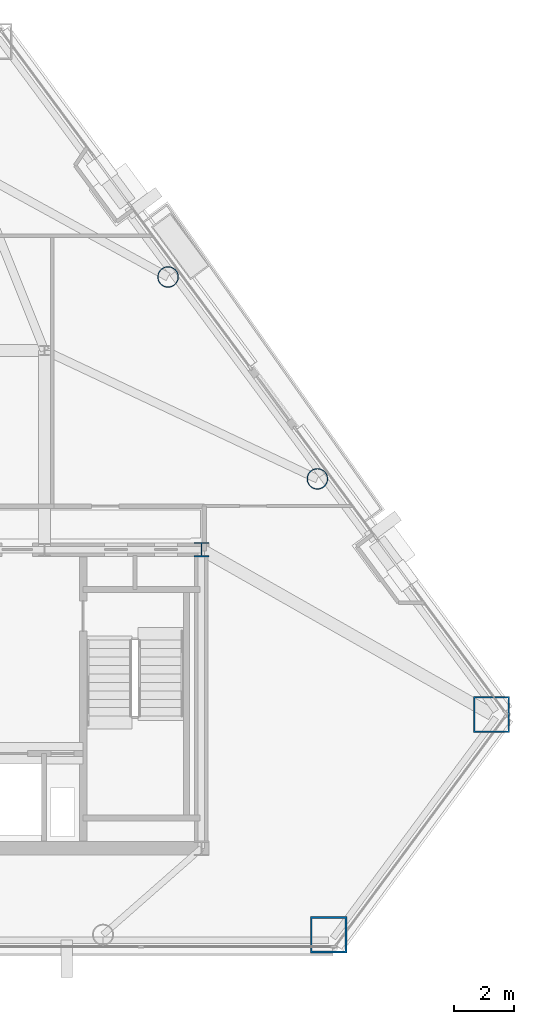
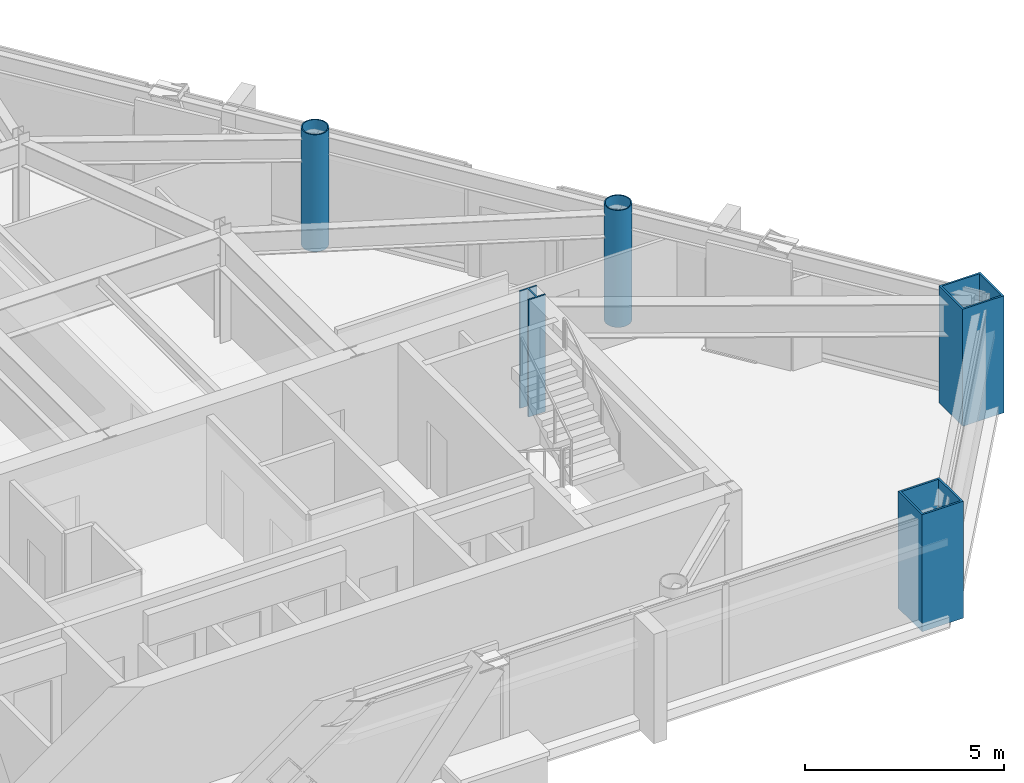
# One storey, part 2 of 11: 5 columns.
"""IFC4 building model written with IfcOpenShell, lengths in metres."""

from ifc_helpers import new_model, si_unit, direction, frame, origin, origin_2d, place, context, subcontext, project, spatial, hollow_rectangle, hollow_circle, i_section, extrude, material, material_profile, profile_set, type_object, element, save


model = new_model("IFC4")

# Units and contexts
model_context = context("Model", 3, precision=1e-05, world=origin(), true_north=direction((0.0, 1.0)))
body_context = subcontext(model_context, "Body", "Model", "MODEL_VIEW")
ifc_project = project(units=[si_unit("LENGTHUNIT", "METRE"), si_unit("AREAUNIT", "SQUARE_METRE"), si_unit("VOLUMEUNIT", "CUBIC_METRE"), si_unit("PLANEANGLEUNIT", "RADIAN"), si_unit("MASSUNIT", "GRAM", prefix="KILO")], contexts=[model_context])

# Site, building, storey
site_placement = place(None, origin())
site = spatial("IfcSite", under=ifc_project, at=site_placement, CompositionType="ELEMENT")
building_placement = place(site_placement, origin())
building = spatial("IfcBuilding", under=site, at=building_placement, Name="Talgorran Terracotta Tower", CompositionType="ELEMENT")
storey_placement = place(building_placement, frame((0.0, 0.0, 114.0)))
storey = spatial("IfcBuildingStorey", under=building, at=storey_placement, Name="L29", CompositionType="ELEMENT", Elevation=114.0)

# Columns
ifc_material_1 = material(Name="Steel S355 (300PLUS)", Category="steel")
ifc_material_profile_1 = material_profile(ifc_material_1, i_section(OverallWidth=0.5, OverallDepth=0.48193359375, WebThickness=0.0400390625, FlangeThickness=0.044921875, at=origin_2d()), Name="500WC440")
ifc_profile_set_1 = profile_set([ifc_material_profile_1], Name="Steel S355 (300PLUS)")
column_type_1 = type_object("IfcColumnType", Name="COL_500WC440", PredefinedType="COLUMN", material=ifc_profile_set_1)
column_placement = place(storey_placement, frame((12.39990234375, -4.199951171875, 0.0), z_axis=(0.0, 0.0, 1.0), x_axis=(1.0, 0.0, 0.0)))
element("IfcColumn", 1, at=column_placement, inside=storey, type_object=column_type_1, Name="L29 Core Boundary Column CC3", PredefinedType="COLUMN", context=body_context, shape_type="SweptSolid", body=[
    extrude(i_section(OverallWidth=0.5, OverallDepth=0.48193359375, WebThickness=0.0400390625, FlangeThickness=0.044921875, at=origin_2d()), origin(), (0.0, 0.0, 1.0), 3.60009765625),
])
ifc_material_2 = material(Name="Steel Grade 350 (350L0)", Category="steel")
ifc_material_profile_2 = material_profile(ifc_material_2, hollow_rectangle(XDim=1.199951171875, YDim=1.199951171875, WallThickness=0.054931640625, at=origin_2d()), Name="CFT1200X1200X55")
ifc_profile_set_2 = profile_set([ifc_material_profile_2], Name="Steel Grade 350 (350L0)")
column_type_2 = type_object("IfcColumnType", Name="COL_CFT_1200", PredefinedType="COLUMN", material=ifc_profile_set_2)
for number, where, z_axis, x_axis, name in (
    (2, (16.618408203125, -16.96337890625, 0.0), (0.0, 0.0, 1.0), (1.0, 0.0, 0.0), "L29 Corner CFT Mega-Column MC3"),
    (3, (22.0185546875, -9.661865234375, 0.0), (0.0, 0.0, 1.0), (1.0, 0.0, 0.0), "L29 Corner CFT Mega-Column MC4"),
):
    element("IfcColumn", number, at=place(storey_placement, frame(where, z_axis=z_axis, x_axis=x_axis)), inside=storey, type_object=column_type_2, Name=name, PredefinedType="COLUMN", context=body_context, shape_type="SweptSolid", body=[
        extrude(hollow_rectangle(XDim=1.199951171875, YDim=1.199951171875, WallThickness=0.054931640625, at=origin_2d()), origin(), (0.0, 0.0, 1.0), 3.60009765625),
    ])
ifc_material_profile_3 = material_profile(ifc_material_2, hollow_circle(Radius=0.35009765625, WallThickness=0.030029296875, at=origin_2d()), Name="CHS700X30")
ifc_profile_set_3 = profile_set([ifc_material_profile_3], Name="Steel Grade 350 (350L0)")
column_type_3 = type_object("IfcColumnType", Name="COL_CHS_700", PredefinedType="COLUMN", material=ifc_profile_set_3)
for number, where, z_axis, x_axis, name in (
    (4, (16.244873046875, -1.855712890625, 0.0), (0.0, 0.0, 1.0), (1.0, 0.0, 0.0), "L29 Facet Perimeter Column FC3"),
    (5, (11.296142578125, 4.835693359375, 0.0), (0.0, 0.0, 1.0), (1.0, 0.0, 0.0), "L29 Facet Perimeter Column FC4"),
):
    element("IfcColumn", number, at=place(storey_placement, frame(where, z_axis=z_axis, x_axis=x_axis)), inside=storey, type_object=column_type_3, Name=name, PredefinedType="COLUMN", context=body_context, shape_type="SweptSolid", body=[
        extrude(hollow_circle(Radius=0.35009765625, WallThickness=0.030029296875, at=origin_2d()), origin(), (0.0, 0.0, 1.0), 3.60009765625),
    ])

save(model, "model.ifc")
